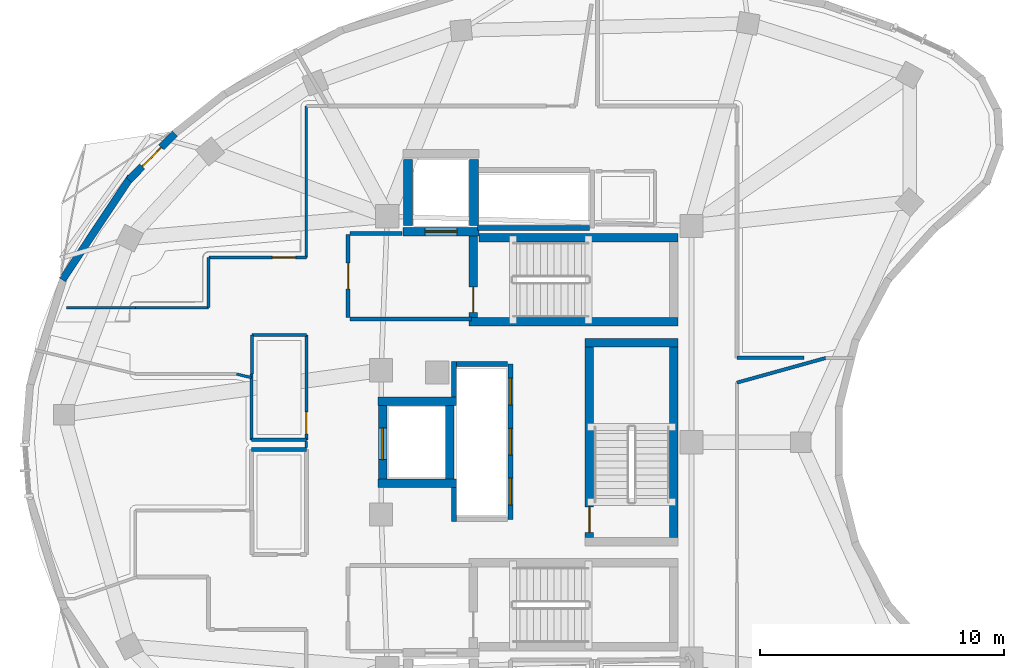
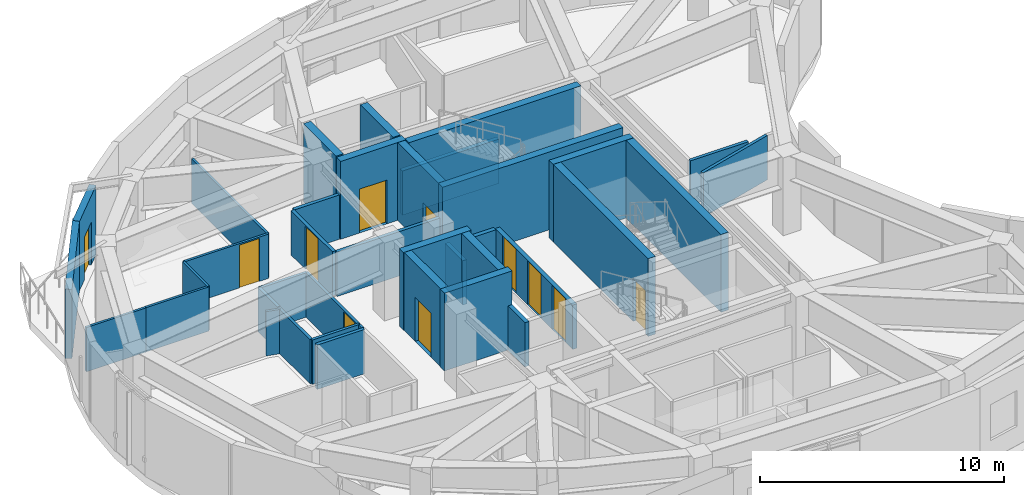
# One storey, part 7 of 12: 38 walls, 11 doors, 11 openings.
"""IFC4 building model written with IfcOpenShell, lengths in metres."""

from ifc_helpers import new_model, si_unit, direction, frame, frame_2d, origin, place, context, subcontext, project, spatial, rectangle, extrude, material, layer, layer_set, type_object, element, fill, save


model = new_model("IFC4")

# Units and contexts
model_context = context("Model", 3, precision=1e-05, world=origin(), true_north=direction((0.0, 1.0)))
body_context = subcontext(model_context, "Body", "Model", "MODEL_VIEW")
ifc_project = project(units=[si_unit("LENGTHUNIT", "METRE"), si_unit("AREAUNIT", "SQUARE_METRE"), si_unit("VOLUMEUNIT", "CUBIC_METRE"), si_unit("PLANEANGLEUNIT", "RADIAN"), si_unit("MASSUNIT", "GRAM", prefix="KILO")], contexts=[model_context])

# Site, building, storey
site_placement = place(None, origin())
site = spatial("IfcSite", under=ifc_project, at=site_placement, CompositionType="ELEMENT")
building_placement = place(site_placement, origin())
building = spatial("IfcBuilding", under=site, at=building_placement, Name="Korentha Bioscience Tower", CompositionType="ELEMENT")
storey_placement = place(building_placement, frame((0.0, 0.0, 286.800048828125)))
storey = spatial("IfcBuildingStorey", under=building, at=storey_placement, Name="L66", CompositionType="ELEMENT", Elevation=286.800048828125)

# Walls
ifc_material_1 = material(Name="Double-Stud Acoustic Gypsum", Category="gypsum")
ifc_layer_1 = layer(ifc_material_1, 0.14990234375, Name="Double-Stud Acoustic Gypsum")
ifc_layer_set_1 = layer_set([ifc_layer_1], Name="Double-Stud Acoustic Gypsum (IW-L150)")
wall_type_1 = type_object("IfcWallType", Name="Acoustic Laboratory Partition Wall 150", PredefinedType="PARTITIONING", material=ifc_layer_set_1)
wall_1_placement = place(storey_placement, frame((42.157958984375, 30.451904296875, 0.0), z_axis=(0.0, 0.0, 1.0), x_axis=(-1.0, 0.0, 0.0)))
element("IfcWall", 1, at=wall_1_placement, inside=storey, type_object=wall_type_1, Name="L66 Interior Partition 051", PredefinedType="PARTITIONING", context=body_context, shape_type="SweptSolid", body=[
    extrude(rectangle(XDim=2.748046875, YDim=0.14990234375, at=frame_2d((1.3740234375, 0.0))), origin(), (0.0, 0.0, 1.0), 2.219970703125),
])
ifc_material_2 = material(Name="Insulated Aluminium Honeycomb Panel", Category="aluminium")
ifc_layer_2 = layer(ifc_material_2, 0.139892578125, Name="Insulated Aluminium Honeycomb Panel")
ifc_layer_set_2 = layer_set([ifc_layer_2], Name="Insulated Aluminium Honeycomb Panel (IW-F60)")
wall_type_2 = type_object("IfcWallType", Name="Cleanroom Flush Metal Panel Partition 140", PredefinedType="PARTITIONING", material=ifc_layer_set_2)
wall_2_placement = place(storey_placement, frame((39.409912109375, 29.43994140625, 0.0), z_axis=(0.0, 0.0, 1.0), x_axis=(0.963548536489, 0.267533582621, 0.0)))
element("IfcWall", 2, at=wall_2_placement, inside=storey, type_object=wall_type_2, Name="L66 Interior Partition 050", PredefinedType="PARTITIONING", context=body_context, shape_type="SweptSolid", body=[
    extrude(rectangle(XDim=3.76806640625, YDim=0.139892578125, at=frame_2d((1.884033203125, 0.0))), origin(), (0.0, 0.0, 1.0), 2.219970703125),
])

# Wall, opening, door
ifc_material_3 = material(Name="Fire-Rated Framed Glass", Category="glass")
ifc_layer_3 = layer(ifc_material_3, 0.110107421875, Name="Fire-Rated Framed Glass")
ifc_layer_set_3 = layer_set([ifc_layer_3], Name="Fire-Rated Framed Glass (IW-G110)")
wall_type_3 = type_object("IfcWallType", Name="Demountable Glazed Office Partition 110", PredefinedType="MOVABLE", material=ifc_layer_set_3)
wall_3_placement = place(storey_placement, frame((21.7900390625, 34.56005859375, 0.0), z_axis=(0.0, 0.0, 1.0), x_axis=(-1.0, 0.0, 0.0)))
wall_3 = element("IfcWall", 3, at=wall_3_placement, inside=storey, type_object=wall_type_3, Name="L66 Clinical Trials Data Office 09 Entrance Wall", PredefinedType="MOVABLE", context=body_context, shape_type="SweptSolid", body=[
    extrude(rectangle(XDim=3.989990234375, YDim=0.110107421875, at=frame_2d((1.9951171875, 0.0))), origin(), (0.0, 0.0, 1.0), 2.219970703125),
])
opening_1_placement = place(wall_3_placement, frame((0.436279296875, 0.0, 0.0)))
opening_1 = element("IfcOpeningElement", 4, at=opening_1_placement, cuts=wall_3, Name="Opening ID-10L", PredefinedType="OPENING", context=body_context, shape_type="SweptSolid", body=[
    extrude(rectangle(XDim=0.949951171875, YDim=2.14990234375, at=frame_2d((0.47509765625, 1.074951171875))), frame((0.0, 0.06982421875, 0.0), z_axis=(0.0, -1.0, 0.0), x_axis=(1.0, 0.0, 0.0)), (0.0, 0.0, 1.0), 0.139892578125),
])
ifc_material_4 = material(Name="Phenolic Laminate Timber Core", Category="wood")
door_type_1 = type_object("IfcDoorType", Name="Laboratory Single Leaf Door 950x2150 Left", OperationType="SINGLE_SWING_LEFT", PredefinedType="DOOR", material=ifc_material_4)
door_1_placement = place(opening_1_placement, origin())
door_1 = element("IfcDoor", 5, at=door_1_placement, inside=storey, type_object=door_type_1, Name="L66 Clinical Trials Data Office 09 Door", OperationType="SINGLE_SWING_LEFT", OverallHeight=2.14990234375, OverallWidth=0.949951171875, PredefinedType="DOOR", context=body_context, shape_type="SweptSolid", body=[
    extrude(rectangle(XDim=0.949951171875, YDim=2.14990234375, at=frame_2d((0.47509765625, 1.074951171875))), frame((0.0, 0.02490234375, 0.0), z_axis=(0.0, -1.0, 0.0), x_axis=(1.0, 0.0, 0.0)), (0.0, 0.0, 1.0), 0.050048828125),
])
fill(opening_1, door_1)

# Walls
wall_4_placement = place(storey_placement, frame((18.936767578125, 29.7900390625, 0.0), z_axis=(0.0, 0.0, 1.0), x_axis=(0.972569213729, -0.232613680823, 0.0)))
element("IfcWall", 6, at=wall_4_placement, inside=storey, type_object=wall_type_3, Name="L66 Interior Partition 030", PredefinedType="MOVABLE", context=body_context, shape_type="SweptSolid", body=[
    extrude(rectangle(XDim=0.620361328125, YDim=0.110107421875, at=frame_2d((0.31005859375, 0.0))), origin(), (0.0, 0.0, 1.0), 2.219970703125),
])
wall_5_placement = place(storey_placement, frame((21.7900390625, 27.031982421875, 0.0), z_axis=(0.0, 0.0, 1.0), x_axis=(0.0, -1.0, 0.0)))
element("IfcWall", 7, at=wall_5_placement, inside=storey, type_object=wall_type_3, Name="L66 Interior Partition 031", PredefinedType="MOVABLE", context=body_context, shape_type="SweptSolid", body=[
    extrude(rectangle(XDim=0.2490234375, YDim=0.110107421875, at=frame_2d((0.12451171875, 0.0))), origin(), (0.0, 0.0, 1.0), 2.219970703125),
])
wall_6_placement = place(storey_placement, frame((21.7900390625, 40.75, 0.0), z_axis=(0.0, 0.0, 1.0), x_axis=(0.0, -1.0, 0.0)))
element("IfcWall", 8, at=wall_6_placement, inside=storey, type_object=wall_type_3, Name="L66 Interior Partition 057", PredefinedType="MOVABLE", context=body_context, shape_type="SweptSolid", body=[
    extrude(rectangle(XDim=6.18994140625, YDim=0.110107421875, at=frame_2d((3.094970703125, 0.0))), origin(), (0.0, 0.0, 1.0), 2.219970703125),
])
wall_7_placement = place(storey_placement, frame((17.7900390625, 34.550048828125, 0.0), z_axis=(0.0, 0.0, 1.0), x_axis=(0.0, -1.0, 0.0)))
element("IfcWall", 9, at=wall_7_placement, inside=storey, type_object=wall_type_3, Name="L66 Interior Partition 058", PredefinedType="MOVABLE", context=body_context, shape_type="SweptSolid", body=[
    extrude(rectangle(XDim=2.0400390625, YDim=0.110107421875, at=frame_2d((1.02001953125, 0.0))), origin(), (0.0, 0.0, 1.0), 2.219970703125),
])
wall_8_placement = place(storey_placement, frame((17.7900390625, 32.510009765625, 0.0), z_axis=(0.0, 0.0, 1.0), x_axis=(-1.0, 0.0, 0.0)))
element("IfcWall", 10, at=wall_8_placement, inside=storey, type_object=wall_type_3, Name="L66 Interior Partition 059", PredefinedType="MOVABLE", context=body_context, shape_type="SweptSolid", body=[
    extrude(rectangle(XDim=2.989990234375, YDim=0.110107421875, at=frame_2d((1.4951171875, 0.0))), origin(), (0.0, 0.0, 1.0), 2.219970703125),
])
wall_9_placement = place(storey_placement, frame((14.7900390625, 32.5, 0.0), z_axis=(0.0, 0.0, 1.0), x_axis=(-1.0, 0.0, 0.0)))
element("IfcWall", 11, at=wall_9_placement, inside=storey, type_object=wall_type_3, Name="L66 Interior Partition 061", PredefinedType="MOVABLE", context=body_context, shape_type="SweptSolid", body=[
    extrude(rectangle(XDim=2.818603515625, YDim=0.110107421875, at=frame_2d((1.4091796875, 0.0))), origin(), (0.0, 0.0, 1.0), 2.219970703125),
])

# Wall, opening, door
ifc_material_5 = material(Name="Gypsum-Clad Steel Stud", Category="steel")
ifc_layer_4 = layer(ifc_material_5, 0.159912109375, Name="Gypsum-Clad Steel Stud")
ifc_layer_set_4 = layer_set([ifc_layer_4], Name="Gypsum-Clad Steel Stud (IW-C160)")
wall_type_4 = type_object("IfcWallType", Name="Fire-Rated Corridor Partition Wall 160", PredefinedType="PARTITIONING", material=ifc_layer_set_4)
wall_10_placement = place(storey_placement, frame((23.5, 32.10009765625, 0.0), z_axis=(0.0, 0.0, 1.0), x_axis=(0.0, 1.0, 0.0)))
wall_10 = element("IfcWall", 12, at=wall_10_placement, inside=storey, type_object=wall_type_4, Name="L66 FFLN-CW Rated Enclosure Wall", PredefinedType="PARTITIONING", context=body_context, shape_type="SweptSolid", body=[
    extrude(rectangle(XDim=3.39990234375, YDim=0.159912109375, at=frame_2d((1.699951171875, 0.0))), origin(), (0.0, 0.0, 1.0), 2.219970703125),
])
opening_2_placement = place(wall_10_placement, frame((1.175048828125, 0.0, 0.0)))
opening_2 = element("IfcOpeningElement", 13, at=opening_2_placement, cuts=wall_10, Name="Opening FD-90L", PredefinedType="OPENING", context=body_context, shape_type="SweptSolid", body=[
    extrude(rectangle(XDim=1.050048828125, YDim=2.14990234375, at=frame_2d((0.52490234375, 1.074951171875))), frame((0.0, 0.0947265625, 0.0), z_axis=(0.0, -1.0, 0.0), x_axis=(1.0, 0.0, 0.0)), (0.0, 0.0, 1.0), 0.189697265625),
])
ifc_material_6 = material(Name="Powder-Coated Fire-Rated Steel", Category="steel")
door_type_2 = type_object("IfcDoorType", Name="Stairwell Fire Exit Door 1050x2150 Left", OperationType="SINGLE_SWING_LEFT", PredefinedType="DOOR", material=ifc_material_6)
door_2_placement = place(opening_2_placement, origin())
door_2 = element("IfcDoor", 14, at=door_2_placement, inside=storey, type_object=door_type_2, Name="L66 North Firefighting Lobby Door", OperationType="SINGLE_SWING_LEFT", OverallHeight=2.14990234375, OverallWidth=1.050048828125, PredefinedType="DOOR", context=body_context, shape_type="SweptSolid", body=[
    extrude(rectangle(XDim=1.050048828125, YDim=2.14990234375, at=frame_2d((0.52490234375, 1.074951171875))), frame((0.0, 0.02490234375, 0.0), z_axis=(0.0, -1.0, 0.0), x_axis=(1.0, 0.0, 0.0)), (0.0, 0.0, 1.0), 0.050048828125),
])
fill(opening_2, door_2)

# Walls
wall_11_placement = place(storey_placement, frame((23.580078125, 32.050048828125, 0.0), z_axis=(0.0, 0.0, 1.0), x_axis=(1.0, 0.0, 0.0)))
element("IfcWall", 15, at=wall_11_placement, inside=storey, type_object=wall_type_4, Name="L66 Firefighting Lobby Return Wall FFLN-S", PredefinedType="PARTITIONING", context=body_context, shape_type="SweptSolid", body=[
    extrude(rectangle(XDim=4.969970703125, YDim=0.159912109375, at=frame_2d((2.48486328125, 0.0))), origin(), (0.0, 0.0, 1.0), 2.219970703125),
])
wall_12_placement = place(storey_placement, frame((23.580078125, 35.550048828125, 0.0), z_axis=(0.0, 0.0, 1.0), x_axis=(1.0, 0.0, 0.0)))
element("IfcWall", 16, at=wall_12_placement, inside=storey, type_object=wall_type_4, Name="L66 Firefighting Lobby Return Wall FFLN-N", PredefinedType="PARTITIONING", context=body_context, shape_type="SweptSolid", body=[
    extrude(rectangle(XDim=2.119873046875, YDim=0.159912109375, at=frame_2d((1.06005859375, 0.0))), origin(), (0.0, 0.0, 1.0), 2.219970703125),
])
wall_13_placement = place(storey_placement, frame((19.550048828125, 26.699951171875, 0.0), z_axis=(0.0, 0.0, 1.0), x_axis=(1.0, 0.0, 0.0)))
element("IfcWall", 17, at=wall_13_placement, inside=storey, type_object=wall_type_4, Name="L66 Interior Partition 022", PredefinedType="PARTITIONING", context=body_context, shape_type="SweptSolid", body=[
    extrude(rectangle(XDim=2.239990234375, YDim=0.159912109375, at=frame_2d((1.1201171875, 0.0))), origin(), (0.0, 0.0, 1.0), 2.219970703125),
])

# Wall, opening, door
ifc_material_7 = material(Name="Honed Limestone Precast Concrete C40", Category="masonry")
ifc_layer_5 = layer(ifc_material_7, 0.300048828125, Name="Honed Limestone Precast Concrete C40")
ifc_layer_set_5 = layer_set([ifc_layer_5], Name="Honed Limestone Precast Concrete C40 (EW-ST300)")
wall_type_5 = type_object("IfcWallType", Name="Honed Limestone Cavity Spandrel Wall 300", PredefinedType="STANDARD", material=ifc_layer_set_5)
wall_14_placement = place(storey_placement, frame((16.413818359375, 39.6328125, 0.0), z_axis=(0.0, 0.0, 1.0), x_axis=(-0.703783131399, -0.710414881572, 0.0)))
wall_14 = element("IfcWall", 18, at=wall_14_placement, inside=storey, type_object=wall_type_5, Name="L66 Balcony Threshold Wall 02", PredefinedType="STANDARD", context=body_context, shape_type="SweptSolid", body=[
    extrude(rectangle(XDim=2.6875, YDim=0.300048828125, at=frame_2d((1.34375, 0.0))), origin(), (0.0, 0.0, 1.0), 3.469970703125),
])
opening_3_placement = place(wall_14_placement, frame((0.793701171875, 0.0, 0.0)))
opening_3 = element("IfcOpeningElement", 19, at=opening_3_placement, cuts=wall_14, Name="Opening BD-11R", PredefinedType="OPENING", context=body_context, shape_type="SweptSolid", body=[
    extrude(rectangle(XDim=1.10009765625, YDim=2.14990234375, at=frame_2d((0.550048828125, 1.074951171875))), frame((0.0, 0.1650390625, 0.0), z_axis=(0.0, -1.0, 0.0), x_axis=(1.0, 0.0, 0.0)), (0.0, 0.0, 1.0), 0.329833984375),
])
ifc_material_8 = material(Name="Thermally Broken Glazed Aluminium", Category="aluminium")
door_type_3 = type_object("IfcDoorType", Name="Balcony Terrace Glazed Door 1100x2150 Right", OperationType="SINGLE_SWING_RIGHT", PredefinedType="DOOR", material=ifc_material_8)
door_3_placement = place(opening_3_placement, origin())
door_3 = element("IfcDoor", 20, at=door_3_placement, inside=storey, type_object=door_type_3, Name="L66 Balcony Access Door 02", OperationType="SINGLE_SWING_RIGHT", OverallHeight=2.14990234375, OverallWidth=1.10009765625, PredefinedType="DOOR", context=body_context, shape_type="SweptSolid", body=[
    extrude(rectangle(XDim=1.10009765625, YDim=2.14990234375, at=frame_2d((0.550048828125, 1.074951171875))), frame((0.0, 0.02490234375, 0.0), z_axis=(0.0, -1.0, 0.0), x_axis=(1.0, 0.0, 0.0)), (0.0, 0.0, 1.0), 0.050048828125),
])
fill(opening_3, door_3)

# Walls
wall_15_placement = place(storey_placement, frame((14.61181640625, 37.8681640625, 0.0), z_axis=(0.0, 0.0, 1.0), x_axis=(-0.553332864868, -0.832960227536, 0.0)))
element("IfcWall", 21, at=wall_15_placement, inside=storey, type_object=wall_type_5, Name="L66 Limestone Perimeter Closure Wall 14", PredefinedType="STANDARD", context=body_context, shape_type="SweptSolid", body=[
    extrude(rectangle(XDim=5.07080078125, YDim=0.300048828125, at=frame_2d((2.535400390625, 0.0))), origin(), (0.0, 0.0, 1.0), 3.469970703125),
])
ifc_material_9 = material(Name="Autoclaved Aerated Concrete Block C25", Category="concrete")
ifc_layer_6 = layer(ifc_material_9, 0.199951171875, Name="Autoclaved Aerated Concrete Block C25")
ifc_layer_set_6 = layer_set([ifc_layer_6], Name="Autoclaved Aerated Concrete Block C25 (IW-S200)")
wall_type_6 = type_object("IfcWallType", Name="Lift and Riser Shaft Enclosure Wall 200", PredefinedType="PARTITIONING", material=ifc_layer_set_6)
wall_16_placement = place(storey_placement, frame((27.830078125, 23.75, 0.0), z_axis=(0.0, 0.0, 1.0), x_axis=(0.0, 1.0, 0.0)))
element("IfcWall", 22, at=wall_16_placement, inside=storey, type_object=wall_type_6, Name="L66 Lift Bank HIGH Shaft Wall -XS", PredefinedType="PARTITIONING", context=body_context, shape_type="SweptSolid", body=[
    extrude(rectangle(XDim=1.39111328125, YDim=0.199951171875, at=frame_2d((0.695556640625, 0.0))), origin(), (0.0, 0.0, 1.0), 2.219970703125),
])
wall_17_placement = place(storey_placement, frame((27.830078125, 28.85888671875, 0.0), z_axis=(0.0, 0.0, 1.0), x_axis=(0.0, 1.0, 0.0)))
element("IfcWall", 23, at=wall_17_placement, inside=storey, type_object=wall_type_6, Name="L66 Lift Bank HIGH Shaft Wall -XN", PredefinedType="PARTITIONING", context=body_context, shape_type="SweptSolid", body=[
    extrude(rectangle(XDim=1.441162109375, YDim=0.199951171875, at=frame_2d((0.720703125, 0.0))), origin(), (0.0, 0.0, 1.0), 2.219970703125),
])

# Wall, openings, doors
wall_18_placement = place(storey_placement, frame((30.14990234375, 23.85009765625, 0.0), z_axis=(0.0, 0.0, 1.0), x_axis=(0.0, 1.0, 0.0)))
wall_18 = element("IfcWall", 24, at=wall_18_placement, inside=storey, type_object=wall_type_6, Name="L66 Lift Bank HIGH Shaft Wall +X", PredefinedType="PARTITIONING", context=body_context, shape_type="SweptSolid", body=[
    extrude(rectangle(XDim=6.349853515625, YDim=0.199951171875, at=frame_2d((3.1748046875, 0.0))), origin(), (0.0, 0.0, 1.0), 2.219970703125),
])
opening_4_placement = place(wall_18_placement, frame((0.580078125, 0.0, 0.0)))
opening_4 = element("IfcOpeningElement", 25, at=opening_4_placement, cuts=wall_18, Name="Opening LD-11", PredefinedType="OPENING", context=body_context, shape_type="SweptSolid", body=[
    extrude(rectangle(XDim=1.10009765625, YDim=2.199951171875, at=frame_2d((0.550048828125, 1.10009765625))), frame((0.0, 0.11474609375, 0.0), z_axis=(0.0, -1.0, 0.0), x_axis=(1.0, 0.0, 0.0)), (0.0, 0.0, 1.0), 0.229736328125),
])
opening_5_placement = place(wall_18_placement, frame((2.6201171875, 0.0, 0.0)))
opening_5 = element("IfcOpeningElement", 26, at=opening_5_placement, cuts=wall_18, Name="Opening LD-11", PredefinedType="OPENING", context=body_context, shape_type="SweptSolid", body=[
    extrude(rectangle(XDim=1.10009765625, YDim=2.199951171875, at=frame_2d((0.550048828125, 1.10009765625))), frame((0.0, 0.11474609375, 0.0), z_axis=(0.0, -1.0, 0.0), x_axis=(1.0, 0.0, 0.0)), (0.0, 0.0, 1.0), 0.229736328125),
])
opening_6_placement = place(wall_18_placement, frame((4.669921875, 0.0, 0.0)))
opening_6 = element("IfcOpeningElement", 27, at=opening_6_placement, cuts=wall_18, Name="Opening LD-11", PredefinedType="OPENING", context=body_context, shape_type="SweptSolid", body=[
    extrude(rectangle(XDim=1.10009765625, YDim=2.199951171875, at=frame_2d((0.550048828125, 1.10009765625))), frame((0.0, 0.11474609375, 0.0), z_axis=(0.0, -1.0, 0.0), x_axis=(1.0, 0.0, 0.0)), (0.0, 0.0, 1.0), 0.229736328125),
])
ifc_material_10 = material(Name="Brushed Stainless Steel 304", Category="steel")
door_type_4 = type_object("IfcDoorType", Name="Passenger Lift Sliding Landing Door 1100x2200", OperationType="DOUBLE_DOOR_SLIDING", PredefinedType="DOOR", material=ifc_material_10)
door_4_placement = place(opening_4_placement, origin())
door_4 = element("IfcDoor", 28, at=door_4_placement, inside=storey, type_object=door_type_4, Name="L66 PL-H1 Sliding Lift Landing Door", OperationType="DOUBLE_DOOR_SLIDING", OverallHeight=2.199951171875, OverallWidth=1.10009765625, PredefinedType="DOOR", context=body_context, shape_type="SweptSolid", body=[
    extrude(rectangle(XDim=1.10009765625, YDim=2.199951171875, at=frame_2d((0.550048828125, 1.10009765625))), frame((0.0, 0.02490234375, 0.0), z_axis=(0.0, -1.0, 0.0), x_axis=(1.0, 0.0, 0.0)), (0.0, 0.0, 1.0), 0.050048828125),
])
fill(opening_4, door_4)
door_5_placement = place(opening_5_placement, origin())
door_5 = element("IfcDoor", 29, at=door_5_placement, inside=storey, type_object=door_type_4, Name="L66 PL-H2 Sliding Lift Landing Door", OperationType="DOUBLE_DOOR_SLIDING", OverallHeight=2.199951171875, OverallWidth=1.10009765625, PredefinedType="DOOR", context=body_context, shape_type="SweptSolid", body=[
    extrude(rectangle(XDim=1.10009765625, YDim=2.199951171875, at=frame_2d((0.550048828125, 1.10009765625))), frame((0.0, 0.02490234375, 0.0), z_axis=(0.0, -1.0, 0.0), x_axis=(1.0, 0.0, 0.0)), (0.0, 0.0, 1.0), 0.050048828125),
])
fill(opening_5, door_5)
door_6_placement = place(opening_6_placement, origin())
door_6 = element("IfcDoor", 30, at=door_6_placement, inside=storey, type_object=door_type_4, Name="L66 PL-H3 Sliding Lift Landing Door", OperationType="DOUBLE_DOOR_SLIDING", OverallHeight=2.199951171875, OverallWidth=1.10009765625, PredefinedType="DOOR", context=body_context, shape_type="SweptSolid", body=[
    extrude(rectangle(XDim=1.10009765625, YDim=2.199951171875, at=frame_2d((0.550048828125, 1.10009765625))), frame((0.0, 0.02490234375, 0.0), z_axis=(0.0, -1.0, 0.0), x_axis=(1.0, 0.0, 0.0)), (0.0, 0.0, 1.0), 0.050048828125),
])
fill(opening_6, door_6)

# Walls
wall_19_placement = place(storey_placement, frame((27.93408203125, 30.199951171875, 0.0), z_axis=(0.0, 0.0, 1.0), x_axis=(1.0, 0.0, 0.0)))
element("IfcWall", 31, at=wall_19_placement, inside=storey, type_object=wall_type_6, Name="L66 Lift Bank HIGH Shaft Wall +Y", PredefinedType="PARTITIONING", context=body_context, shape_type="SweptSolid", body=[
    extrude(rectangle(XDim=2.095947265625, YDim=0.199951171875, at=frame_2d((1.0478515625, 0.0))), origin(), (0.0, 0.0, 1.0), 2.219970703125),
])
wall_20_placement = place(storey_placement, frame((28.800048828125, 35.760009765625, 0.0), z_axis=(0.0, 0.0, 1.0), x_axis=(1.0, 0.0, 0.0)))
element("IfcWall", 32, at=wall_20_placement, inside=storey, type_object=wall_type_6, Name="L66 Lift Bank OBS Shaft Wall -Y", PredefinedType="PARTITIONING", context=body_context, shape_type="SweptSolid", body=[
    extrude(rectangle(XDim=4.570068359375, YDim=0.199951171875, at=frame_2d((2.28515625, 0.0))), origin(), (0.0, 0.0, 1.0), 2.219970703125),
])
ifc_material_11 = material(Name="Concrete C50", Category="concrete")
ifc_layer_7 = layer(ifc_material_11, 0.35009765625, Name="Concrete C50")
ifc_layer_set_7 = layer_set([ifc_layer_7], Name="Concrete C50 (CW-C50)")
wall_type_7 = type_object("IfcWallType", Name="Upper Core Shear Wall 350", PredefinedType="SHEAR", material=ifc_layer_set_7)
wall_21_placement = place(storey_placement, frame((28.85205078125, 35.375, 0.0), z_axis=(0.0, 0.0, 1.0), x_axis=(1.0, 0.0, 0.0)))
element("IfcWall", 33, at=wall_21_placement, inside=storey, type_object=wall_type_7, Name="L66 Core Shear Wall ST1-N", PredefinedType="SHEAR", context=body_context, shape_type="SweptSolid", body=[
    extrude(rectangle(XDim=8.14794921875, YDim=0.35009765625, at=frame_2d((4.073974609375, 0.0))), origin(), (0.0, 0.0, 1.0), 3.89990234375),
])
wall_22_placement = place(storey_placement, frame((28.449951171875, 31.925048828125, 0.0), z_axis=(0.0, 0.0, 1.0), x_axis=(1.0, 0.0, 0.0)))
element("IfcWall", 34, at=wall_22_placement, inside=storey, type_object=wall_type_7, Name="L66 Core Shear Wall ST1-S", PredefinedType="SHEAR", context=body_context, shape_type="SweptSolid", body=[
    extrude(rectangle(XDim=8.550048828125, YDim=0.35009765625, at=frame_2d((4.27490234375, 0.0))), origin(), (0.0, 0.0, 1.0), 3.89990234375),
])

# Wall, opening, door
wall_23_placement = place(storey_placement, frame((28.625, 32.110107421875, 0.0), z_axis=(0.0, 0.0, 1.0), x_axis=(0.0, 1.0, 0.0)))
wall_23 = element("IfcWall", 35, at=wall_23_placement, inside=storey, type_object=wall_type_7, Name="L66 Core Shear Wall ST1-W", PredefinedType="SHEAR", context=body_context, shape_type="SweptSolid", body=[
    extrude(rectangle(XDim=3.3330078125, YDim=0.35009765625, at=frame_2d((1.66650390625, 0.0))), origin(), (0.0, 0.0, 1.0), 3.89990234375),
])
opening_7_placement = place(wall_23_placement, frame((0.199951171875, 0.0, 0.0)))
opening_7 = element("IfcOpeningElement", 36, at=opening_7_placement, cuts=wall_23, Name="Opening FD-90L", PredefinedType="OPENING", context=body_context, shape_type="SweptSolid", body=[
    extrude(rectangle(XDim=1.050048828125, YDim=2.14990234375, at=frame_2d((0.52490234375, 1.074951171875))), frame((0.0, 0.18994140625, 0.0), z_axis=(0.0, -1.0, 0.0), x_axis=(1.0, 0.0, 0.0)), (0.0, 0.0, 1.0), 0.3798828125),
])
door_7_placement = place(opening_7_placement, origin())
door_7 = element("IfcDoor", 37, at=door_7_placement, inside=storey, type_object=door_type_2, Name="L66 ST-1 Fire Exit Stair Door", OperationType="SINGLE_SWING_LEFT", OverallHeight=2.14990234375, OverallWidth=1.050048828125, PredefinedType="DOOR", context=body_context, shape_type="SweptSolid", body=[
    extrude(rectangle(XDim=1.050048828125, YDim=2.14990234375, at=frame_2d((0.52490234375, 1.074951171875))), frame((0.0, 0.02490234375, 0.0), z_axis=(0.0, -1.0, 0.0), x_axis=(1.0, 0.0, 0.0)), (0.0, 0.0, 1.0), 0.050048828125),
])
fill(opening_7, door_7)

# Walls
wall_24_placement = place(storey_placement, frame((33.199951171875, 31.074951171875, 0.0), z_axis=(0.0, 0.0, 1.0), x_axis=(1.0, 0.0, 0.0)))
element("IfcWall", 38, at=wall_24_placement, inside=storey, type_object=wall_type_7, Name="L66 Core Shear Wall ST3-N", PredefinedType="SHEAR", context=body_context, shape_type="SweptSolid", body=[
    extrude(rectangle(XDim=3.800048828125, YDim=0.35009765625, at=frame_2d((1.89990234375, 0.0))), origin(), (0.0, 0.0, 1.0), 3.89990234375),
])
wall_25_placement = place(storey_placement, frame((36.824951171875, 23.110107421875, 0.0), z_axis=(0.0, 0.0, 1.0), x_axis=(0.0, 1.0, 0.0)))
element("IfcWall", 39, at=wall_25_placement, inside=storey, type_object=wall_type_7, Name="L66 Core Shear Wall ST3-E", PredefinedType="SHEAR", context=body_context, shape_type="SweptSolid", body=[
    extrude(rectangle(XDim=7.77978515625, YDim=0.35009765625, at=frame_2d((3.889892578125, 0.0))), origin(), (0.0, 0.0, 1.0), 3.89990234375),
])

# Wall, opening, door
wall_26_placement = place(storey_placement, frame((33.375, 23.110107421875, 0.0), z_axis=(0.0, 0.0, 1.0), x_axis=(0.0, 1.0, 0.0)))
wall_26 = element("IfcWall", 40, at=wall_26_placement, inside=storey, type_object=wall_type_7, Name="L66 Core Shear Wall ST3-W", PredefinedType="SHEAR", context=body_context, shape_type="SweptSolid", body=[
    extrude(rectangle(XDim=7.77978515625, YDim=0.35009765625, at=frame_2d((3.889892578125, 0.0))), origin(), (0.0, 0.0, 1.0), 3.89990234375),
])
opening_8_placement = place(wall_26_placement, frame((0.199951171875, 0.0, 0.0)))
opening_8 = element("IfcOpeningElement", 41, at=opening_8_placement, cuts=wall_26, Name="Opening FD-90L", PredefinedType="OPENING", context=body_context, shape_type="SweptSolid", body=[
    extrude(rectangle(XDim=1.050048828125, YDim=2.14990234375, at=frame_2d((0.52490234375, 1.074951171875))), frame((0.0, 0.18994140625, 0.0), z_axis=(0.0, -1.0, 0.0), x_axis=(1.0, 0.0, 0.0)), (0.0, 0.0, 1.0), 0.3798828125),
])
door_8_placement = place(opening_8_placement, origin())
door_8 = element("IfcDoor", 42, at=door_8_placement, inside=storey, type_object=door_type_2, Name="L66 ST-3 Fire Exit Stair Door", OperationType="SINGLE_SWING_LEFT", OverallHeight=2.14990234375, OverallWidth=1.050048828125, PredefinedType="DOOR", context=body_context, shape_type="SweptSolid", body=[
    extrude(rectangle(XDim=1.050048828125, YDim=2.14990234375, at=frame_2d((0.52490234375, 1.074951171875))), frame((0.0, 0.02490234375, 0.0), z_axis=(0.0, -1.0, 0.0), x_axis=(1.0, 0.0, 0.0)), (0.0, 0.0, 1.0), 0.050048828125),
])
fill(opening_8, door_8)

wall_27_placement = place(storey_placement, frame((25.75, 35.6201171875, 0.0), z_axis=(0.0, 0.0, 1.0), x_axis=(1.0, 0.0, 0.0)))
wall_27 = element("IfcWall", 43, at=wall_27_placement, inside=storey, type_object=wall_type_7, Name="L66 Core Shear Wall FFL2-S", PredefinedType="SHEAR", context=body_context, shape_type="SweptSolid", body=[
    extrude(rectangle(XDim=3.10009765625, YDim=0.35009765625, at=frame_2d((1.550048828125, 0.0))), origin(), (0.0, 0.0, 1.0), 3.89990234375),
])
opening_9_placement = place(wall_27_placement, frame((0.89990234375, 0.0, 0.0)))
opening_9 = element("IfcOpeningElement", 44, at=opening_9_placement, cuts=wall_27, Name="Opening LD-13", PredefinedType="OPENING", context=body_context, shape_type="SweptSolid", body=[
    extrude(rectangle(XDim=1.300048828125, YDim=2.199951171875, at=frame_2d((0.64990234375, 1.10009765625))), frame((0.0, 0.18994140625, 0.0), z_axis=(0.0, -1.0, 0.0), x_axis=(1.0, 0.0, 0.0)), (0.0, 0.0, 1.0), 0.3798828125),
])
ifc_material_12 = material(Name="Brushed Stainless Steel 316", Category="steel")
door_type_5 = type_object("IfcDoorType", Name="Service & Firefighting Lift Landing Door 1300x2300", OperationType="DOUBLE_DOOR_SLIDING", PredefinedType="DOOR", material=ifc_material_12)
door_9_placement = place(opening_9_placement, origin())
door_9 = element("IfcDoor", 45, at=door_9_placement, inside=storey, type_object=door_type_5, Name="L66 FFL-2 Sliding Lift Landing Door", OperationType="DOUBLE_DOOR_SLIDING", OverallHeight=2.199951171875, OverallWidth=1.300048828125, PredefinedType="DOOR", context=body_context, shape_type="SweptSolid", body=[
    extrude(rectangle(XDim=1.300048828125, YDim=2.199951171875, at=frame_2d((0.64990234375, 1.10009765625))), frame((0.0, 0.02490234375, 0.0), z_axis=(0.0, -1.0, 0.0), x_axis=(1.0, 0.0, 0.0)), (0.0, 0.0, 1.0), 0.050048828125),
])
fill(opening_9, door_9)

# Walls
for number, where, z_axis, x_axis, name in (
    (46, (25.949951171875, 35.860107421875, 0.0), (0.0, 0.0, 1.0), (0.0, 1.0, 0.0), "L66 Core Shear Wall FFL2-W"),
    (47, (28.64990234375, 35.860107421875, 0.0), (0.0, 0.0, 1.0), (0.0, 1.0, 0.0), "L66 Core Shear Wall FFL2-E"),
):
    element("IfcWall", number, at=place(storey_placement, frame(where, z_axis=z_axis, x_axis=x_axis)), inside=storey, type_object=wall_type_7, Name=name, PredefinedType="SHEAR", context=body_context, shape_type="SweptSolid", body=[
        extrude(rectangle(XDim=2.699951171875, YDim=0.35009765625, at=frame_2d((1.35009765625, 0.0))), origin(), (0.0, 0.0, 1.0), 3.89990234375),
    ])
for number, where, z_axis, x_axis, name in (
    (48, (24.719970703125, 28.679931640625, 0.0), (0.0, 0.0, 1.0), (1.0, 0.0, 0.0), "L66 Core Shear Wall SVL1-N"),
    (49, (24.719970703125, 25.320068359375, 0.0), (0.0, 0.0, 1.0), (1.0, 0.0, 0.0), "L66 Core Shear Wall SVL1-S"),
):
    element("IfcWall", number, at=place(storey_placement, frame(where, z_axis=z_axis, x_axis=x_axis)), inside=storey, type_object=wall_type_7, Name=name, PredefinedType="SHEAR", context=body_context, shape_type="SweptSolid", body=[
        extrude(rectangle(XDim=3.2099609375, YDim=0.35009765625, at=frame_2d((1.60498046875, 0.0))), origin(), (0.0, 0.0, 1.0), 3.89990234375),
    ])

# Wall, opening, door
wall_28_placement = place(storey_placement, frame((24.919921875, 25.4970703125, 0.0), z_axis=(0.0, 0.0, 1.0), x_axis=(0.0, 1.0, 0.0)))
wall_28 = element("IfcWall", 50, at=wall_28_placement, inside=storey, type_object=wall_type_7, Name="L66 Core Shear Wall SVL1-W", PredefinedType="SHEAR", context=body_context, shape_type="SweptSolid", body=[
    extrude(rectangle(XDim=3.005859375, YDim=0.35009765625, at=frame_2d((1.5029296875, 0.0))), origin(), (0.0, 0.0, 1.0), 3.89990234375),
])
opening_10_placement = place(wall_28_placement, frame((0.7900390625, 0.0, 0.0)))
opening_10 = element("IfcOpeningElement", 51, at=opening_10_placement, cuts=wall_28, Name="Opening LD-13", PredefinedType="OPENING", context=body_context, shape_type="SweptSolid", body=[
    extrude(rectangle(XDim=1.300048828125, YDim=2.199951171875, at=frame_2d((0.64990234375, 1.10009765625))), frame((0.0, 0.18994140625, 0.0), z_axis=(0.0, -1.0, 0.0), x_axis=(1.0, 0.0, 0.0)), (0.0, 0.0, 1.0), 0.3798828125),
])
door_10_placement = place(opening_10_placement, origin())
door_10 = element("IfcDoor", 52, at=door_10_placement, inside=storey, type_object=door_type_5, Name="L66 SVL-1 Sliding Lift Landing Door", OperationType="DOUBLE_DOOR_SLIDING", OverallHeight=2.199951171875, OverallWidth=1.300048828125, PredefinedType="DOOR", context=body_context, shape_type="SweptSolid", body=[
    extrude(rectangle(XDim=1.300048828125, YDim=2.199951171875, at=frame_2d((0.64990234375, 1.10009765625))), frame((0.0, 0.02490234375, 0.0), z_axis=(0.0, -1.0, 0.0), x_axis=(1.0, 0.0, 0.0)), (0.0, 0.0, 1.0), 0.050048828125),
])
fill(opening_10, door_10)

# Wall
wall_29_placement = place(storey_placement, frame((27.64990234375, 25.4970703125, 0.0), z_axis=(0.0, 0.0, 1.0), x_axis=(0.0, 1.0, 0.0)))
element("IfcWall", 53, at=wall_29_placement, inside=storey, type_object=wall_type_7, Name="L66 Core Shear Wall SVL1-E", PredefinedType="SHEAR", context=body_context, shape_type="SweptSolid", body=[
    extrude(rectangle(XDim=3.005859375, YDim=0.35009765625, at=frame_2d((1.5029296875, 0.0))), origin(), (0.0, 0.0, 1.0), 3.89990234375),
])

# Wall, opening, door
ifc_material_13 = material(Name="Cement-Board Steel Stud", Category="steel")
ifc_layer_8 = layer(ifc_material_13, 0.1298828125, Name="Cement-Board Steel Stud")
ifc_layer_set_8 = layer_set([ifc_layer_8], Name="Cement-Board Steel Stud (IW-W130)")
wall_type_8 = type_object("IfcWallType", Name="Wet-Area Moisture-Resistant Partition 130", PredefinedType="PARTITIONING", material=ifc_layer_set_8)
wall_30_placement = place(storey_placement, frame((21.7900390625, 31.389892578125, 0.0), z_axis=(0.0, 0.0, 1.0), x_axis=(0.0, -1.0, 0.0)))
wall_30 = element("IfcWall", 54, at=wall_30_placement, inside=storey, type_object=wall_type_8, Name="L66 Reclaimed Bank-2 Accessible Staff WC Entrance Wall", PredefinedType="PARTITIONING", context=body_context, shape_type="SweptSolid", body=[
    extrude(rectangle(XDim=4.289794921875, YDim=0.1298828125, at=frame_2d((2.14501953125, 0.0))), origin(), (0.0, 0.0, 1.0), 2.219970703125),
])
opening_11_placement = place(wall_30_placement, frame((3.14990234375, 0.0, 0.0)))
opening_11 = element("IfcOpeningElement", 55, at=opening_11_placement, cuts=wall_30, Name="Opening ID-09R", PredefinedType="OPENING", context=body_context, shape_type="SweptSolid", body=[
    extrude(rectangle(XDim=0.89990234375, YDim=2.14990234375, at=frame_2d((0.449951171875, 1.074951171875))), frame((0.0, 0.079833984375, 0.0), z_axis=(0.0, -1.0, 0.0), x_axis=(1.0, 0.0, 0.0)), (0.0, 0.0, 1.0), 0.15966796875),
])
ifc_material_14 = material(Name="Moisture-Resistant HPL Leaf", Category="wood")
door_type_6 = type_object("IfcDoorType", Name="Restroom & Accessible WC Door 900x2150 Right", OperationType="SINGLE_SWING_RIGHT", PredefinedType="DOOR", material=ifc_material_14)
door_11_placement = place(opening_11_placement, origin())
door_11 = element("IfcDoor", 56, at=door_11_placement, inside=storey, type_object=door_type_6, Name="L66 Reclaimed Bank-2 Accessible Staff WC Door", OperationType="SINGLE_SWING_RIGHT", OverallHeight=2.14990234375, OverallWidth=0.89990234375, PredefinedType="DOOR", context=body_context, shape_type="SweptSolid", body=[
    extrude(rectangle(XDim=0.89990234375, YDim=2.14990234375, at=frame_2d((0.449951171875, 1.074951171875))), frame((0.0, 0.02490234375, 0.0), z_axis=(0.0, -1.0, 0.0), x_axis=(1.0, 0.0, 0.0)), (0.0, 0.0, 1.0), 0.050048828125),
])
fill(opening_11, door_11)

# Walls
wall_31_placement = place(storey_placement, frame((19.550048828125, 27.10009765625, 0.0), z_axis=(0.0, 0.0, 1.0), x_axis=(0.0, 1.0, 0.0)))
element("IfcWall", 57, at=wall_31_placement, inside=storey, type_object=wall_type_8, Name="L66 Interior Partition 023", PredefinedType="PARTITIONING", context=body_context, shape_type="SweptSolid", body=[
    extrude(rectangle(XDim=2.68994140625, YDim=0.1298828125, at=frame_2d((1.344970703125, 0.0))), origin(), (0.0, 0.0, 1.0), 2.219970703125),
])
wall_32_placement = place(storey_placement, frame((19.56005859375, 29.800048828125, 0.0), z_axis=(0.0, 0.0, 1.0), x_axis=(0.0, 1.0, 0.0)))
element("IfcWall", 58, at=wall_32_placement, inside=storey, type_object=wall_type_8, Name="L66 Interior Partition 024", PredefinedType="PARTITIONING", context=body_context, shape_type="SweptSolid", body=[
    extrude(rectangle(XDim=1.58984375, YDim=0.1298828125, at=frame_2d((0.794921875, 0.0))), origin(), (0.0, 0.0, 1.0), 2.219970703125),
])
wall_33_placement = place(storey_placement, frame((19.56005859375, 31.389892578125, 0.0), z_axis=(0.0, 0.0, 1.0), x_axis=(1.0, 0.0, 0.0)))
element("IfcWall", 59, at=wall_33_placement, inside=storey, type_object=wall_type_8, Name="L66 Interior Partition 025", PredefinedType="PARTITIONING", context=body_context, shape_type="SweptSolid", body=[
    extrude(rectangle(XDim=2.22998046875, YDim=0.1298828125, at=frame_2d((1.114990234375, 0.0))), origin(), (0.0, 0.0, 1.0), 2.219970703125),
])
wall_34_placement = place(storey_placement, frame((21.7900390625, 27.10009765625, 0.0), z_axis=(0.0, 0.0, 1.0), x_axis=(-1.0, 0.0, 0.0)))
element("IfcWall", 60, at=wall_34_placement, inside=storey, type_object=wall_type_8, Name="L66 Interior Partition 026", PredefinedType="PARTITIONING", context=body_context, shape_type="SweptSolid", body=[
    extrude(rectangle(XDim=2.239990234375, YDim=0.1298828125, at=frame_2d((1.1201171875, 0.0))), origin(), (0.0, 0.0, 1.0), 2.219970703125),
])

save(model, "model.ifc")
